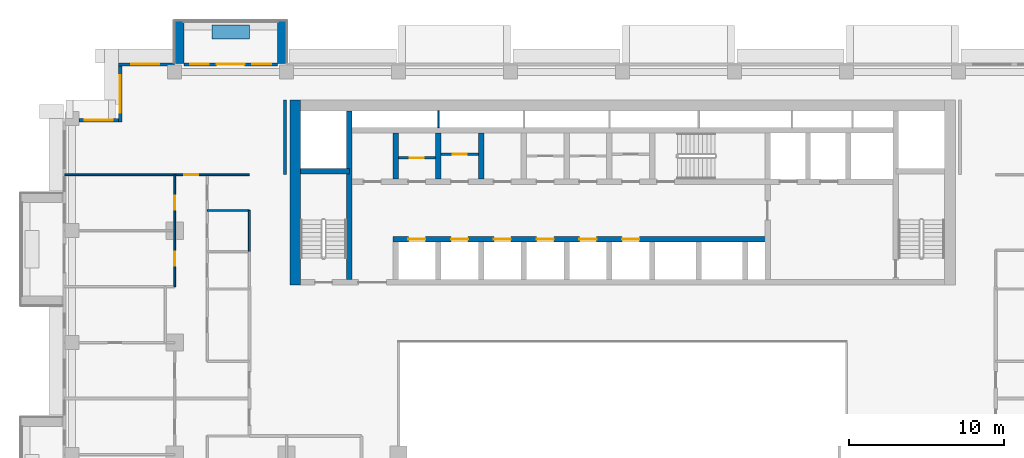
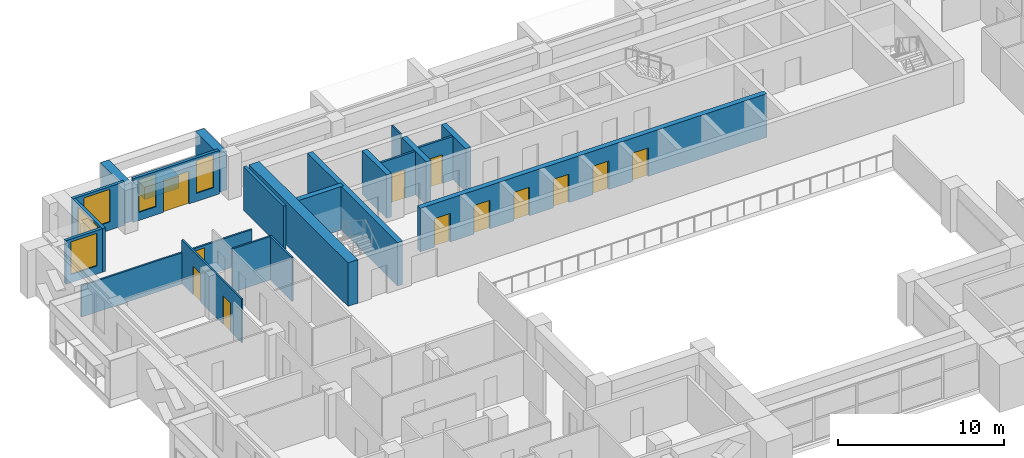
# One storey, part 10 of 20: 22 walls, 12 doors, 5 windows, 17 openings.
"""IFC4 building model written with IfcOpenShell, lengths in metres."""

from ifc_helpers import new_model, si_unit, direction, frame, frame_2d, origin, place, context, subcontext, project, spatial, rectangle, extrude, material, layer, layer_set, type_object, element, fill, save


model = new_model("IFC4")

# Units and contexts
model_context = context("Model", 3, precision=1e-05, world=origin(), true_north=direction((0.0, 1.0)))
body_context = subcontext(model_context, "Body", "Model", "MODEL_VIEW")
ifc_project = project(units=[si_unit("LENGTHUNIT", "METRE"), si_unit("AREAUNIT", "SQUARE_METRE"), si_unit("VOLUMEUNIT", "CUBIC_METRE"), si_unit("PLANEANGLEUNIT", "RADIAN"), si_unit("MASSUNIT", "GRAM", prefix="KILO")], contexts=[model_context])

# Site, building, storey
site_placement = place(None, origin())
site = spatial("IfcSite", under=ifc_project, at=site_placement, CompositionType="ELEMENT")
building_placement = place(site_placement, origin())
building = spatial("IfcBuilding", under=site, at=building_placement, Name="Saffron Iwan Residences", CompositionType="ELEMENT")
storey_placement = place(building_placement, frame((0.0, 0.0, 127.0)))
storey = spatial("IfcBuildingStorey", under=building, at=storey_placement, Name="L33", CompositionType="ELEMENT", Elevation=127.0)

# Walls
ifc_material_1 = material(Name="Concrete C50/60 white painted", Category="concrete")
ifc_layer_1 = layer(ifc_material_1, 0.60009765625)
ifc_layer_set_1 = layer_set([ifc_layer_1], Name="Concrete C50/60 white painted")
wall_type_1 = type_object("IfcWallType", Name="BALCONY FIN 600", PredefinedType="SOLIDWALL", material=ifc_layer_set_1)
for number, where, z_axis, x_axis, name in (
    (1, (28.5, 80.35009765625, 0.0), (0.0, 0.0, 1.0), (0.0, 1.0, 0.0), "Balcony fin L33 F5-3a"),
    (2, (21.89990234375, 80.35009765625, 0.0), (0.0, 0.0, 1.0), (0.0, 1.0, 0.0), "Balcony fin L33 F5-3b"),
):
    element("IfcWall", number, at=place(storey_placement, frame(where, z_axis=z_axis, x_axis=x_axis)), inside=storey, type_object=wall_type_1, Name=name, PredefinedType="SOLIDWALL", context=body_context, shape_type="SweptSolid", body=[
        extrude(rectangle(XDim=2.75, YDim=0.60009765625, at=frame_2d((1.375, 0.0))), origin(), (0.0, 0.0, 1.0), 2.85009765625),
    ])
ifc_material_2 = material(Name="Concrete C35/45 white painted", Category="concrete")
ifc_layer_2 = layer(ifc_material_2, 0.14990234375)
ifc_layer_set_2 = layer_set([ifc_layer_2], Name="Concrete C35/45 white painted")
wall_type_2 = type_object("IfcWallType", Name="BALCONY PLANTER", PredefinedType="SOLIDWALL", material=ifc_layer_set_2)
wall_1_placement = place(storey_placement, frame((26.39990234375, 82.375, 0.0), z_axis=(0.0, 0.0, 1.0), x_axis=(-1.0, 0.0, 0.0)))
element("IfcWall", 3, at=wall_1_placement, inside=storey, type_object=wall_type_2, Name="PLANTER L33 F5-3", PredefinedType="SOLIDWALL", context=body_context, shape_type="SweptSolid", body=[
    extrude(rectangle(XDim=2.39990234375, YDim=0.89990234375, at=frame_2d((1.199951171875, 0.0))), origin(), (0.0, 0.0, 1.0), 0.89990234375),
])

# Wall, opening, door
ifc_material_3 = material(Name="Fire-rated plasterboard partition")
ifc_layer_3 = layer(ifc_material_3, 0.14990234375)
ifc_layer_set_3 = layer_set([ifc_layer_3], Name="Fire-rated plasterboard partition")
wall_type_3 = type_object("IfcWallType", Name="Core partition 150", PredefinedType="PARTITIONING", material=ifc_layer_set_3)
wall_2_placement = place(storey_placement, frame((35.97509765625, 74.281982421875, 0.0), z_axis=(0.0, 0.0, 1.0), x_axis=(1.0, 0.0, 0.0)))
wall_2 = element("IfcWall", 4, at=wall_2_placement, inside=storey, type_object=wall_type_3, Name="Core partition P01", PredefinedType="PARTITIONING", context=body_context, shape_type="SweptSolid", body=[
    extrude(rectangle(XDim=2.39990234375, YDim=0.14990234375, at=frame_2d((1.199951171875, 0.0))), origin(), (0.0, 0.0, 1.0), 3.199951171875),
])
opening_1_placement = place(wall_2_placement, frame((0.75, 0.0, 0.0)))
opening_1 = element("IfcOpeningElement", 5, at=opening_1_placement, cuts=wall_2, Name="Opening SB", PredefinedType="OPENING", context=body_context, shape_type="SweptSolid", body=[
    extrude(rectangle(XDim=0.89990234375, YDim=2.10009765625, at=frame_2d((0.449951171875, 1.050048828125))), frame((0.0, 0.0849609375, 0.0), z_axis=(0.0, -1.0, 0.0), x_axis=(1.0, 0.0, 0.0)), (0.0, 0.0, 1.0), 0.169921875),
])
ifc_material_4 = material(Name="Steel fire door", Category="steel")
door_type_1 = type_object("IfcDoorType", Name="Store door 900", OperationType="NOTDEFINED", PredefinedType="DOOR", material=ifc_material_4)
door_1_placement = place(opening_1_placement, origin())
door_1 = element("IfcDoor", 6, at=door_1_placement, inside=storey, type_object=door_type_1, Name="Door Stationery store", OperationType="SINGLE_SWING_LEFT", OverallHeight=2.10009765625, OverallWidth=0.89990234375, PredefinedType="DOOR", context=body_context, shape_type="SweptSolid", body=[
    extrude(rectangle(XDim=0.89990234375, YDim=2.10009765625, at=frame_2d((0.449951171875, 1.050048828125))), frame((0.0, 0.02490234375, 0.0), z_axis=(0.0, -1.0, 0.0), x_axis=(1.0, 0.0, 0.0)), (0.0, 0.0, 1.0), 0.050048828125),
])
fill(opening_1, door_1)

wall_3_placement = place(storey_placement, frame((38.72509765625, 74.51806640625, 0.0), z_axis=(0.0, 0.0, 1.0), x_axis=(1.0, 0.0, 0.0)))
wall_3 = element("IfcWall", 7, at=wall_3_placement, inside=storey, type_object=wall_type_3, Name="Core partition P02", PredefinedType="PARTITIONING", context=body_context, shape_type="SweptSolid", body=[
    extrude(rectangle(XDim=2.39990234375, YDim=0.14990234375, at=frame_2d((1.199951171875, 0.0))), origin(), (0.0, 0.0, 1.0), 3.199951171875),
])
opening_2_placement = place(wall_3_placement, frame((0.75, 0.0, 0.0)))
opening_2 = element("IfcOpeningElement", 8, at=opening_2_placement, cuts=wall_3, Name="Opening SB", PredefinedType="OPENING", context=body_context, shape_type="SweptSolid", body=[
    extrude(rectangle(XDim=0.89990234375, YDim=2.10009765625, at=frame_2d((0.449951171875, 1.050048828125))), frame((0.0, 0.0849609375, 0.0), z_axis=(0.0, -1.0, 0.0), x_axis=(1.0, 0.0, 0.0)), (0.0, 0.0, 1.0), 0.169921875),
])
door_2_placement = place(opening_2_placement, origin())
door_2 = element("IfcDoor", 9, at=door_2_placement, inside=storey, type_object=door_type_1, Name="Door Tool store", OperationType="SINGLE_SWING_LEFT", OverallHeight=2.10009765625, OverallWidth=0.89990234375, PredefinedType="DOOR", context=body_context, shape_type="SweptSolid", body=[
    extrude(rectangle(XDim=0.89990234375, YDim=2.10009765625, at=frame_2d((0.449951171875, 1.050048828125))), frame((0.0, 0.02490234375, 0.0), z_axis=(0.0, -1.0, 0.0), x_axis=(1.0, 0.0, 0.0)), (0.0, 0.0, 1.0), 0.050048828125),
])
fill(opening_2, door_2)

# Wall, openings, door, windows
ifc_material_5 = material(Name="Concrete C40/50", Category="concrete")
ifc_layer_4 = layer(ifc_material_5, 0.199951171875)
ifc_layer_set_4 = layer_set([ifc_layer_4], Name="Concrete C40/50")
wall_type_4 = type_object("IfcWallType", Name="EXTERNAL WALL 200", PredefinedType="SOLIDWALL", material=ifc_layer_set_4)
wall_4_placement = place(storey_placement, frame((28.199951171875, 80.300048828125, 0.0), z_axis=(0.0, 0.0, 1.0), x_axis=(-1.0, 0.0, 0.0)))
wall_4 = element("IfcWall", 10, at=wall_4_placement, inside=storey, type_object=wall_type_4, Name="External wall L33 F5.1", PredefinedType="SOLIDWALL", context=body_context, shape_type="SweptSolid", body=[
    extrude(rectangle(XDim=6.0, YDim=0.199951171875, at=frame_2d((3.0, 0.0))), origin(), (0.0, 0.0, 1.0), 3.199951171875),
])
opening_3_placement = place(wall_4_placement, frame((2.10009765625, 0.0, 0.0)))
opening_3 = element("IfcOpeningElement", 11, at=opening_3_placement, cuts=wall_4, Name="Opening BD1", PredefinedType="OPENING", context=body_context, shape_type="SweptSolid", body=[
    extrude(rectangle(XDim=1.800048828125, YDim=2.39990234375, at=frame_2d((0.89990234375, 1.199951171875))), frame((0.0, 0.10986328125, 0.0), z_axis=(0.0, -1.0, 0.0), x_axis=(1.0, 0.0, 0.0)), (0.0, 0.0, 1.0), 0.219970703125),
])
opening_4_placement = place(wall_4_placement, frame((0.39990234375, 0.0, 0.60009765625)))
opening_4 = element("IfcOpeningElement", 12, at=opening_4_placement, cuts=wall_4, Name="Opening W3", PredefinedType="OPENING", context=body_context, shape_type="SweptSolid", body=[
    extrude(rectangle(XDim=1.199951171875, YDim=2.39990234375, at=frame_2d((0.60009765625, 1.199951171875))), frame((0.0, 0.10986328125, 0.0), z_axis=(0.0, -1.0, 0.0), x_axis=(1.0, 0.0, 0.0)), (0.0, 0.0, 1.0), 0.219970703125),
])
opening_5_placement = place(wall_4_placement, frame((4.39990234375, 0.0, 0.60009765625)))
opening_5 = element("IfcOpeningElement", 13, at=opening_5_placement, cuts=wall_4, Name="Opening W3", PredefinedType="OPENING", context=body_context, shape_type="SweptSolid", body=[
    extrude(rectangle(XDim=1.199951171875, YDim=2.39990234375, at=frame_2d((0.60009765625, 1.199951171875))), frame((0.0, 0.10986328125, 0.0), z_axis=(0.0, -1.0, 0.0), x_axis=(1.0, 0.0, 0.0)), (0.0, 0.0, 1.0), 0.219970703125),
])
ifc_material_6 = material(Name="Clear glass, laminated double glazed", Category="glass")
door_type_2 = type_object("IfcDoorType", Name="BALCONY DOOR 1800 x 2400", OperationType="DOUBLE_DOOR_SLIDING", PredefinedType="DOOR", material=ifc_material_6)
door_3_placement = place(opening_3_placement, origin())
door_3 = element("IfcDoor", 14, at=door_3_placement, inside=storey, type_object=door_type_2, Name="Balcony door L33 F5.0", OperationType="DOUBLE_DOOR_SLIDING", OverallHeight=2.39990234375, OverallWidth=1.800048828125, PredefinedType="DOOR", context=body_context, shape_type="SweptSolid", body=[
    extrude(rectangle(XDim=1.800048828125, YDim=2.39990234375, at=frame_2d((0.89990234375, 1.199951171875))), frame((0.0, 0.02490234375, 0.0), z_axis=(0.0, -1.0, 0.0), x_axis=(1.0, 0.0, 0.0)), (0.0, 0.0, 1.0), 0.050048828125),
])
fill(opening_3, door_3)
window_type_1 = type_object("IfcWindowType", Name="WINDOW 1200 x 2400", PartitioningType="SINGLE_PANEL", PredefinedType="WINDOW", material=ifc_material_6)
window_1_placement = place(opening_4_placement, origin())
window_1 = element("IfcWindow", 15, at=window_1_placement, inside=storey, type_object=window_type_1, Name="Window L33 F5.1", OverallHeight=2.39990234375, OverallWidth=1.199951171875, PartitioningType="SINGLE_PANEL", PredefinedType="WINDOW", context=body_context, shape_type="SweptSolid", body=[
    extrude(rectangle(XDim=1.199951171875, YDim=2.39990234375, at=frame_2d((0.60009765625, 1.199951171875))), frame((0.0, 0.030029296875, 0.0), z_axis=(0.0, -1.0, 0.0), x_axis=(1.0, 0.0, 0.0)), (0.0, 0.0, 1.0), 0.06005859375),
])
fill(opening_4, window_1)
window_2_placement = place(opening_5_placement, origin())
window_2 = element("IfcWindow", 16, at=window_2_placement, inside=storey, type_object=window_type_1, Name="Window L33 F5.2", OverallHeight=2.39990234375, OverallWidth=1.199951171875, PartitioningType="SINGLE_PANEL", PredefinedType="WINDOW", context=body_context, shape_type="SweptSolid", body=[
    extrude(rectangle(XDim=1.199951171875, YDim=2.39990234375, at=frame_2d((0.60009765625, 1.199951171875))), frame((0.0, 0.030029296875, 0.0), z_axis=(0.0, -1.0, 0.0), x_axis=(1.0, 0.0, 0.0)), (0.0, 0.0, 1.0), 0.06005859375),
])
fill(opening_5, window_2)

# Wall, opening, window
wall_5_placement = place(storey_placement, frame((21.60009765625, 80.300048828125, 0.0), z_axis=(0.0, 0.0, 1.0), x_axis=(-1.0, 0.0, 0.0)))
wall_5 = element("IfcWall", 17, at=wall_5_placement, inside=storey, type_object=wall_type_4, Name="External wall L33 F5.2", PredefinedType="SOLIDWALL", context=body_context, shape_type="SweptSolid", body=[
    extrude(rectangle(XDim=3.60009765625, YDim=0.199951171875, at=frame_2d((1.800048828125, 0.0))), origin(), (0.0, 0.0, 1.0), 3.199951171875),
])
opening_6_placement = place(wall_5_placement, frame((1.0, 0.0, 0.60009765625)))
opening_6 = element("IfcOpeningElement", 18, at=opening_6_placement, cuts=wall_5, Name="Opening W8", PredefinedType="OPENING", context=body_context, shape_type="SweptSolid", body=[
    extrude(rectangle(XDim=1.800048828125, YDim=2.39990234375, at=frame_2d((0.89990234375, 1.199951171875))), frame((0.0, 0.10986328125, 0.0), z_axis=(0.0, -1.0, 0.0), x_axis=(1.0, 0.0, 0.0)), (0.0, 0.0, 1.0), 0.219970703125),
])
window_type_2 = type_object("IfcWindowType", Name="WINDOW 1800 x 2400", PartitioningType="DOUBLE_PANEL_VERTICAL", PredefinedType="WINDOW", material=ifc_material_6)
window_3_placement = place(opening_6_placement, origin())
window_3 = element("IfcWindow", 19, at=window_3_placement, inside=storey, type_object=window_type_2, Name="Window L33 F5.0", OverallHeight=2.39990234375, OverallWidth=1.800048828125, PartitioningType="DOUBLE_PANEL_VERTICAL", PredefinedType="WINDOW", context=body_context, shape_type="SweptSolid", body=[
    extrude(rectangle(XDim=1.800048828125, YDim=2.39990234375, at=frame_2d((0.89990234375, 1.199951171875))), frame((0.0, 0.030029296875, 0.0), z_axis=(0.0, -1.0, 0.0), x_axis=(1.0, 0.0, 0.0)), (0.0, 0.0, 1.0), 0.06005859375),
])
fill(opening_6, window_3)

wall_6_placement = place(storey_placement, frame((18.10009765625, 80.199951171875, 0.0), z_axis=(0.0, 0.0, 1.0), x_axis=(0.0, -1.0, 0.0)))
wall_6 = element("IfcWall", 20, at=wall_6_placement, inside=storey, type_object=wall_type_4, Name="External wall L33 F6.0", PredefinedType="SOLIDWALL", context=body_context, shape_type="SweptSolid", body=[
    extrude(rectangle(XDim=3.599853515625, YDim=0.199951171875, at=frame_2d((1.7998046875, 0.0))), origin(), (0.0, 0.0, 1.0), 3.199951171875),
])
opening_7_placement = place(wall_6_placement, frame((0.60009765625, 0.0, 0.60009765625)))
opening_7 = element("IfcOpeningElement", 21, at=opening_7_placement, cuts=wall_6, Name="Opening W1", PredefinedType="OPENING", context=body_context, shape_type="SweptSolid", body=[
    extrude(rectangle(XDim=2.39990234375, YDim=2.39990234375, at=frame_2d((1.199951171875, 1.199951171875))), frame((0.0, 0.10986328125, 0.0), z_axis=(0.0, -1.0, 0.0), x_axis=(1.0, 0.0, 0.0)), (0.0, 0.0, 1.0), 0.219970703125),
])
window_type_3 = type_object("IfcWindowType", Name="WINDOW 2400 x 2400", PartitioningType="DOUBLE_PANEL_VERTICAL", PredefinedType="WINDOW", material=ifc_material_6)
window_4_placement = place(opening_7_placement, origin())
window_4 = element("IfcWindow", 22, at=window_4_placement, inside=storey, type_object=window_type_3, Name="Window L33 F6.0", OverallHeight=2.39990234375, OverallWidth=2.39990234375, PartitioningType="DOUBLE_PANEL_VERTICAL", PredefinedType="WINDOW", context=body_context, shape_type="SweptSolid", body=[
    extrude(rectangle(XDim=2.39990234375, YDim=2.39990234375, at=frame_2d((1.199951171875, 1.199951171875))), frame((0.0, 0.030029296875, 0.0), z_axis=(0.0, -1.0, 0.0), x_axis=(1.0, 0.0, 0.0)), (0.0, 0.0, 1.0), 0.06005859375),
])
fill(opening_7, window_4)

wall_7_placement = place(storey_placement, frame((18.0, 76.699951171875, 0.0), z_axis=(0.0, 0.0, 1.0), x_axis=(-1.0, 0.0, 0.0)))
wall_7 = element("IfcWall", 23, at=wall_7_placement, inside=storey, type_object=wall_type_4, Name="External wall L33 F7.0", PredefinedType="SOLIDWALL", context=body_context, shape_type="SweptSolid", body=[
    extrude(rectangle(XDim=2.550048828125, YDim=0.199951171875, at=frame_2d((1.27490234375, 0.0))), origin(), (0.0, 0.0, 1.0), 3.199951171875),
])
opening_8_placement = place(wall_7_placement, frame((0.375, 0.0, 0.60009765625)))
opening_8 = element("IfcOpeningElement", 24, at=opening_8_placement, cuts=wall_7, Name="Opening W8", PredefinedType="OPENING", context=body_context, shape_type="SweptSolid", body=[
    extrude(rectangle(XDim=1.800048828125, YDim=2.39990234375, at=frame_2d((0.89990234375, 1.199951171875))), frame((0.0, 0.10986328125, 0.0), z_axis=(0.0, -1.0, 0.0), x_axis=(1.0, 0.0, 0.0)), (0.0, 0.0, 1.0), 0.219970703125),
])
window_5_placement = place(opening_8_placement, origin())
window_5 = element("IfcWindow", 25, at=window_5_placement, inside=storey, type_object=window_type_2, Name="Window L33 F7.0", OverallHeight=2.39990234375, OverallWidth=1.800048828125, PartitioningType="DOUBLE_PANEL_VERTICAL", PredefinedType="WINDOW", context=body_context, shape_type="SweptSolid", body=[
    extrude(rectangle(XDim=1.800048828125, YDim=2.39990234375, at=frame_2d((0.89990234375, 1.199951171875))), frame((0.0, 0.030029296875, 0.0), z_axis=(0.0, -1.0, 0.0), x_axis=(1.0, 0.0, 0.0)), (0.0, 0.0, 1.0), 0.06005859375),
])
fill(opening_8, window_5)

# Wall
ifc_material_7 = material(Name="Gypsum board partition")
ifc_layer_5 = layer(ifc_material_7, 0.1201171875)
ifc_layer_set_5 = layer_set([ifc_layer_5], Name="Gypsum board partition")
wall_type_5 = type_object("IfcWallType", Name="Flat partition 120", PredefinedType="PARTITIONING", material=ifc_layer_set_5)
wall_8_placement = place(storey_placement, frame((23.699951171875, 70.89990234375, 0.0), z_axis=(0.0, 0.0, 1.0), x_axis=(1.0, 0.0, 0.0)))
element("IfcWall", 26, at=wall_8_placement, inside=storey, type_object=wall_type_5, Name="W-L33-PART-h70.9-23.7", PredefinedType="PARTITIONING", context=body_context, shape_type="SweptSolid", body=[
    extrude(rectangle(XDim=2.699951171875, YDim=0.1201171875, at=frame_2d((1.35009765625, 0.0))), origin(), (0.0, 0.0, 1.0), 3.199951171875),
])

# Wall, opening, door
wall_9_placement = place(storey_placement, frame((14.52490234375, 73.199951171875, 0.0), z_axis=(0.0, 0.0, 1.0), x_axis=(1.0, 0.0, 0.0)))
wall_9 = element("IfcWall", 27, at=wall_9_placement, inside=storey, type_object=wall_type_5, Name="W-L33-PART-h73.2-14.525", PredefinedType="PARTITIONING", context=body_context, shape_type="SweptSolid", body=[
    extrude(rectangle(XDim=11.875, YDim=0.1201171875, at=frame_2d((5.9375, 0.0))), origin(), (0.0, 0.0, 1.0), 2.300048828125),
])
opening_9_placement = place(wall_9_placement, frame((7.675048828125, 0.0, 0.0)))
opening_9 = element("IfcOpeningElement", 28, at=opening_9_placement, cuts=wall_9, Name="Opening FD2", PredefinedType="OPENING", context=body_context, shape_type="SweptSolid", body=[
    extrude(rectangle(XDim=0.89990234375, YDim=2.10009765625, at=frame_2d((0.449951171875, 1.050048828125))), frame((0.0, 0.070068359375, 0.0), z_axis=(0.0, -1.0, 0.0), x_axis=(1.0, 0.0, 0.0)), (0.0, 0.0, 1.0), 0.14013671875),
])
ifc_material_8 = material(Name="Timber door", Category="wood")
door_type_3 = type_object("IfcDoorType", Name="Flat door 900", OperationType="NOTDEFINED", PredefinedType="DOOR", material=ifc_material_8)
door_4_placement = place(opening_9_placement, origin())
door_4 = element("IfcDoor", 29, at=door_4_placement, inside=storey, type_object=door_type_3, Name="Door L33-024", OperationType="SINGLE_SWING_LEFT", OverallHeight=2.10009765625, OverallWidth=0.89990234375, PredefinedType="DOOR", context=body_context, shape_type="SweptSolid", body=[
    extrude(rectangle(XDim=0.89990234375, YDim=2.10009765625, at=frame_2d((0.449951171875, 1.050048828125))), frame((0.0, 0.02490234375, 0.0), z_axis=(0.0, -1.0, 0.0), x_axis=(1.0, 0.0, 0.0)), (0.0, 0.0, 1.0), 0.050048828125),
])
fill(opening_9, door_4)

# Wall, openings, doors
wall_10_placement = place(storey_placement, frame((21.60009765625, 66.0, 0.0), z_axis=(0.0, 0.0, 1.0), x_axis=(0.0, 1.0, 0.0)))
wall_10 = element("IfcWall", 30, at=wall_10_placement, inside=storey, type_object=wall_type_5, Name="W-L33-PART-v21.6-66", PredefinedType="PARTITIONING", context=body_context, shape_type="SweptSolid", body=[
    extrude(rectangle(XDim=7.199951171875, YDim=0.1201171875, at=frame_2d((3.60009765625, 0.0))), origin(), (0.0, 0.0, 1.0), 3.199951171875),
])
opening_10_placement = place(wall_10_placement, frame((1.35009765625, 0.0, 0.0)))
opening_10 = element("IfcOpeningElement", 31, at=opening_10_placement, cuts=wall_10, Name="Opening FD2", PredefinedType="OPENING", context=body_context, shape_type="SweptSolid", body=[
    extrude(rectangle(XDim=0.89990234375, YDim=2.10009765625, at=frame_2d((0.449951171875, 1.050048828125))), frame((0.0, 0.070068359375, 0.0), z_axis=(0.0, -1.0, 0.0), x_axis=(1.0, 0.0, 0.0)), (0.0, 0.0, 1.0), 0.14013671875),
])
opening_11_placement = place(wall_10_placement, frame((4.949951171875, 0.0, 0.0)))
opening_11 = element("IfcOpeningElement", 32, at=opening_11_placement, cuts=wall_10, Name="Opening FD2", PredefinedType="OPENING", context=body_context, shape_type="SweptSolid", body=[
    extrude(rectangle(XDim=0.89990234375, YDim=2.10009765625, at=frame_2d((0.449951171875, 1.050048828125))), frame((0.0, 0.070068359375, 0.0), z_axis=(0.0, -1.0, 0.0), x_axis=(1.0, 0.0, 0.0)), (0.0, 0.0, 1.0), 0.14013671875),
])
door_5_placement = place(opening_10_placement, origin())
door_5 = element("IfcDoor", 33, at=door_5_placement, inside=storey, type_object=door_type_3, Name="Door L33-022", OperationType="SINGLE_SWING_RIGHT", OverallHeight=2.10009765625, OverallWidth=0.89990234375, PredefinedType="DOOR", context=body_context, shape_type="SweptSolid", body=[
    extrude(rectangle(XDim=0.89990234375, YDim=2.10009765625, at=frame_2d((0.449951171875, 1.050048828125))), frame((0.0, 0.02490234375, 0.0), z_axis=(0.0, -1.0, 0.0), x_axis=(1.0, 0.0, 0.0)), (0.0, 0.0, 1.0), 0.050048828125),
])
fill(opening_10, door_5)
door_6_placement = place(opening_11_placement, origin())
door_6 = element("IfcDoor", 34, at=door_6_placement, inside=storey, type_object=door_type_3, Name="Door L33-023", OperationType="SINGLE_SWING_LEFT", OverallHeight=2.10009765625, OverallWidth=0.89990234375, PredefinedType="DOOR", context=body_context, shape_type="SweptSolid", body=[
    extrude(rectangle(XDim=0.89990234375, YDim=2.10009765625, at=frame_2d((0.449951171875, 1.050048828125))), frame((0.0, 0.02490234375, 0.0), z_axis=(0.0, -1.0, 0.0), x_axis=(1.0, 0.0, 0.0)), (0.0, 0.0, 1.0), 0.050048828125),
])
fill(opening_11, door_6)

# Walls
wall_11_placement = place(storey_placement, frame((26.39990234375, 68.25, 0.0), z_axis=(0.0, 0.0, 1.0), x_axis=(0.0, 1.0, 0.0)))
element("IfcWall", 35, at=wall_11_placement, inside=storey, type_object=wall_type_5, Name="W-L33-PART-v26.4-68.25", PredefinedType="PARTITIONING", context=body_context, shape_type="SweptSolid", body=[
    extrude(rectangle(XDim=2.64990234375, YDim=0.1201171875, at=frame_2d((1.324951171875, 0.0))), origin(), (0.0, 0.0, 1.0), 3.199951171875),
])
ifc_material_9 = material(Name="Fire-rated gypsum board wall")
ifc_layer_6 = layer(ifc_material_9, 0.199951171875)
ifc_layer_set_6 = layer_set([ifc_layer_6], Name="Fire-rated gypsum board wall")
wall_type_6 = type_object("IfcWallType", Name="Gallery wall 200", PredefinedType="SOLIDWALL", material=ifc_layer_set_6)
wall_12_placement = place(storey_placement, frame((28.699951171875, 73.199951171875, 0.0), z_axis=(0.0, 0.0, 1.0), x_axis=(0.0, 1.0, 0.0)))
element("IfcWall", 36, at=wall_12_placement, inside=storey, type_object=wall_type_6, Name="W-L33-CORR-v28.8-73.2", PredefinedType="SOLIDWALL", context=body_context, shape_type="SweptSolid", body=[
    extrude(rectangle(XDim=4.800048828125, YDim=0.199951171875, at=frame_2d((2.39990234375, 0.0))), origin(), (0.0, 0.0, 1.0), 3.199951171875),
])
ifc_layer_7 = layer(ifc_material_3, 0.10009765625)
ifc_layer_set_7 = layer_set([ifc_layer_7], Name="Fire-rated plasterboard partition")
wall_type_7 = type_object("IfcWallType", Name="Riser partition 100", PredefinedType="PARTITIONING", material=ifc_layer_set_7)
wall_13_placement = place(storey_placement, frame((38.550048828125, 76.22509765625, 0.0), z_axis=(0.0, 0.0, 1.0), x_axis=(0.0, 1.0, 0.0)))
element("IfcWall", 37, at=wall_13_placement, inside=storey, type_object=wall_type_7, Name="Core partition P06", PredefinedType="PARTITIONING", context=body_context, shape_type="SweptSolid", body=[
    extrude(rectangle(XDim=1.074951171875, YDim=0.10009765625, at=frame_2d((0.53759765625, 0.0))), origin(), (0.0, 0.0, 1.0), 3.199951171875),
])

# Wall, openings, doors
ifc_material_10 = material(Name="Concrete C50/60", Category="concrete")
ifc_layer_8 = layer(ifc_material_10, 0.35009765625)
ifc_layer_set_8 = layer_set([ifc_layer_8], Name="Concrete C50/60")
wall_type_8 = type_object("IfcWallType", Name="WALL CORE 350 C50/60 3200 HIGH", PredefinedType="SHEAR", material=ifc_layer_set_8)
wall_14_placement = place(storey_placement, frame((35.625, 69.050048828125, 0.0), z_axis=(0.0, 0.0, 1.0), x_axis=(1.0, 0.0, 0.0)))
wall_14 = element("IfcWall", 38, at=wall_14_placement, inside=storey, type_object=wall_type_8, Name="Core wall", PredefinedType="SHEAR", context=body_context, shape_type="SweptSolid", body=[
    extrude(rectangle(XDim=24.10009765625, YDim=0.35009765625, at=frame_2d((12.050048828125, 0.0))), origin(), (0.0, 0.0, 1.0), 3.199951171875),
])
opening_12_placement = place(wall_14_placement, frame((1.0, 0.0, 0.0)))
opening_12 = element("IfcOpeningElement", 39, at=opening_12_placement, cuts=wall_14, Name="Opening LD", PredefinedType="OPENING", context=body_context, shape_type="SweptSolid", body=[
    extrude(rectangle(XDim=1.10009765625, YDim=2.10009765625, at=frame_2d((0.550048828125, 1.050048828125))), frame((0.0, 0.18505859375, 0.0), z_axis=(0.0, -1.0, 0.0), x_axis=(1.0, 0.0, 0.0)), (0.0, 0.0, 1.0), 0.3701171875),
])
opening_13_placement = place(wall_14_placement, frame((3.75, 0.0, 0.0)))
opening_13 = element("IfcOpeningElement", 40, at=opening_13_placement, cuts=wall_14, Name="Opening LD", PredefinedType="OPENING", context=body_context, shape_type="SweptSolid", body=[
    extrude(rectangle(XDim=1.10009765625, YDim=2.10009765625, at=frame_2d((0.550048828125, 1.050048828125))), frame((0.0, 0.18505859375, 0.0), z_axis=(0.0, -1.0, 0.0), x_axis=(1.0, 0.0, 0.0)), (0.0, 0.0, 1.0), 0.3701171875),
])
opening_14_placement = place(wall_14_placement, frame((6.5, 0.0, 0.0)))
opening_14 = element("IfcOpeningElement", 41, at=opening_14_placement, cuts=wall_14, Name="Opening LD", PredefinedType="OPENING", context=body_context, shape_type="SweptSolid", body=[
    extrude(rectangle(XDim=1.10009765625, YDim=2.10009765625, at=frame_2d((0.550048828125, 1.050048828125))), frame((0.0, 0.18505859375, 0.0), z_axis=(0.0, -1.0, 0.0), x_axis=(1.0, 0.0, 0.0)), (0.0, 0.0, 1.0), 0.3701171875),
])
opening_15_placement = place(wall_14_placement, frame((9.25, 0.0, 0.0)))
opening_15 = element("IfcOpeningElement", 42, at=opening_15_placement, cuts=wall_14, Name="Opening LD", PredefinedType="OPENING", context=body_context, shape_type="SweptSolid", body=[
    extrude(rectangle(XDim=1.10009765625, YDim=2.10009765625, at=frame_2d((0.550048828125, 1.050048828125))), frame((0.0, 0.18505859375, 0.0), z_axis=(0.0, -1.0, 0.0), x_axis=(1.0, 0.0, 0.0)), (0.0, 0.0, 1.0), 0.3701171875),
])
opening_16_placement = place(wall_14_placement, frame((12.0, 0.0, 0.0)))
opening_16 = element("IfcOpeningElement", 43, at=opening_16_placement, cuts=wall_14, Name="Opening LD", PredefinedType="OPENING", context=body_context, shape_type="SweptSolid", body=[
    extrude(rectangle(XDim=1.10009765625, YDim=2.10009765625, at=frame_2d((0.550048828125, 1.050048828125))), frame((0.0, 0.18505859375, 0.0), z_axis=(0.0, -1.0, 0.0), x_axis=(1.0, 0.0, 0.0)), (0.0, 0.0, 1.0), 0.3701171875),
])
opening_17_placement = place(wall_14_placement, frame((14.75, 0.0, 0.0)))
opening_17 = element("IfcOpeningElement", 44, at=opening_17_placement, cuts=wall_14, Name="Opening LD", PredefinedType="OPENING", context=body_context, shape_type="SweptSolid", body=[
    extrude(rectangle(XDim=1.10009765625, YDim=2.10009765625, at=frame_2d((0.550048828125, 1.050048828125))), frame((0.0, 0.18505859375, 0.0), z_axis=(0.0, -1.0, 0.0), x_axis=(1.0, 0.0, 0.0)), (0.0, 0.0, 1.0), 0.3701171875),
])
door_type_4 = type_object("IfcDoorType", Name="Lift landing door 1100", OperationType="SLIDING_TO_LEFT", PredefinedType="DOOR", material=ifc_material_4)
door_7_placement = place(opening_12_placement, origin())
door_7 = element("IfcDoor", 45, at=door_7_placement, inside=storey, type_object=door_type_4, Name="Landing doors LR1", OperationType="SLIDING_TO_LEFT", OverallHeight=2.10009765625, OverallWidth=1.10009765625, PredefinedType="DOOR", context=body_context, shape_type="SweptSolid", body=[
    extrude(rectangle(XDim=1.10009765625, YDim=2.10009765625, at=frame_2d((0.550048828125, 1.050048828125))), frame((0.0, 0.02490234375, 0.0), z_axis=(0.0, -1.0, 0.0), x_axis=(1.0, 0.0, 0.0)), (0.0, 0.0, 1.0), 0.050048828125),
])
fill(opening_12, door_7)
door_8_placement = place(opening_13_placement, origin())
door_8 = element("IfcDoor", 46, at=door_8_placement, inside=storey, type_object=door_type_4, Name="Landing doors LR2", OperationType="SLIDING_TO_LEFT", OverallHeight=2.10009765625, OverallWidth=1.10009765625, PredefinedType="DOOR", context=body_context, shape_type="SweptSolid", body=[
    extrude(rectangle(XDim=1.10009765625, YDim=2.10009765625, at=frame_2d((0.550048828125, 1.050048828125))), frame((0.0, 0.02490234375, 0.0), z_axis=(0.0, -1.0, 0.0), x_axis=(1.0, 0.0, 0.0)), (0.0, 0.0, 1.0), 0.050048828125),
])
fill(opening_13, door_8)
door_9_placement = place(opening_14_placement, origin())
door_9 = element("IfcDoor", 47, at=door_9_placement, inside=storey, type_object=door_type_4, Name="Landing doors LR3", OperationType="SLIDING_TO_LEFT", OverallHeight=2.10009765625, OverallWidth=1.10009765625, PredefinedType="DOOR", context=body_context, shape_type="SweptSolid", body=[
    extrude(rectangle(XDim=1.10009765625, YDim=2.10009765625, at=frame_2d((0.550048828125, 1.050048828125))), frame((0.0, 0.02490234375, 0.0), z_axis=(0.0, -1.0, 0.0), x_axis=(1.0, 0.0, 0.0)), (0.0, 0.0, 1.0), 0.050048828125),
])
fill(opening_14, door_9)
door_10_placement = place(opening_15_placement, origin())
door_10 = element("IfcDoor", 48, at=door_10_placement, inside=storey, type_object=door_type_4, Name="Landing doors LR4", OperationType="SLIDING_TO_LEFT", OverallHeight=2.10009765625, OverallWidth=1.10009765625, PredefinedType="DOOR", context=body_context, shape_type="SweptSolid", body=[
    extrude(rectangle(XDim=1.10009765625, YDim=2.10009765625, at=frame_2d((0.550048828125, 1.050048828125))), frame((0.0, 0.02490234375, 0.0), z_axis=(0.0, -1.0, 0.0), x_axis=(1.0, 0.0, 0.0)), (0.0, 0.0, 1.0), 0.050048828125),
])
fill(opening_15, door_10)
door_11_placement = place(opening_16_placement, origin())
door_11 = element("IfcDoor", 49, at=door_11_placement, inside=storey, type_object=door_type_4, Name="Landing doors LR5", OperationType="SLIDING_TO_LEFT", OverallHeight=2.10009765625, OverallWidth=1.10009765625, PredefinedType="DOOR", context=body_context, shape_type="SweptSolid", body=[
    extrude(rectangle(XDim=1.10009765625, YDim=2.10009765625, at=frame_2d((0.550048828125, 1.050048828125))), frame((0.0, 0.02490234375, 0.0), z_axis=(0.0, -1.0, 0.0), x_axis=(1.0, 0.0, 0.0)), (0.0, 0.0, 1.0), 0.050048828125),
])
fill(opening_16, door_11)
door_12_placement = place(opening_17_placement, origin())
door_12 = element("IfcDoor", 50, at=door_12_placement, inside=storey, type_object=door_type_4, Name="Landing doors LR6", OperationType="SLIDING_TO_LEFT", OverallHeight=2.10009765625, OverallWidth=1.10009765625, PredefinedType="DOOR", context=body_context, shape_type="SweptSolid", body=[
    extrude(rectangle(XDim=1.10009765625, YDim=2.10009765625, at=frame_2d((0.550048828125, 1.050048828125))), frame((0.0, 0.02490234375, 0.0), z_axis=(0.0, -1.0, 0.0), x_axis=(1.0, 0.0, 0.0)), (0.0, 0.0, 1.0), 0.050048828125),
])
fill(opening_17, door_12)

# Walls
wall_15_placement = place(storey_placement, frame((29.699951171875, 73.425048828125, 0.0), z_axis=(0.0, 0.0, 1.0), x_axis=(1.0, 0.0, 0.0)))
element("IfcWall", 51, at=wall_15_placement, inside=storey, type_object=wall_type_8, Name="Core wall", PredefinedType="SHEAR", context=body_context, shape_type="SweptSolid", body=[
    extrude(rectangle(XDim=3.125, YDim=0.35009765625, at=frame_2d((1.5625, 0.0))), origin(), (0.0, 0.0, 1.0), 3.199951171875),
])
wall_16_placement = place(storey_placement, frame((32.824951171875, 66.449951171875, 0.0), z_axis=(0.0, 0.0, 1.0), x_axis=(0.0, 1.0, 0.0)))
element("IfcWall", 52, at=wall_16_placement, inside=storey, type_object=wall_type_8, Name="Core wall", PredefinedType="SHEAR", context=body_context, shape_type="SweptSolid", body=[
    extrude(rectangle(XDim=10.85009765625, YDim=0.35009765625, at=frame_2d((5.425048828125, 0.0))), origin(), (0.0, 0.0, 1.0), 3.199951171875),
])
for number, where, z_axis, x_axis, name in (
    (53, (35.800048828125, 72.925048828125, 0.0), (0.0, 0.0, 1.0), (0.0, 1.0, 0.0), "Core wall"),
    (54, (38.550048828125, 72.925048828125, 0.0), (0.0, 0.0, 1.0), (0.0, 1.0, 0.0), "Core wall"),
    (55, (41.300048828125, 72.925048828125, 0.0), (0.0, 0.0, 1.0), (0.0, 1.0, 0.0), "Core wall"),
):
    element("IfcWall", number, at=place(storey_placement, frame(where, z_axis=z_axis, x_axis=x_axis)), inside=storey, type_object=wall_type_8, Name=name, PredefinedType="SHEAR", context=body_context, shape_type="SweptSolid", body=[
        extrude(rectangle(XDim=2.949951171875, YDim=0.35009765625, at=frame_2d((1.47509765625, 0.0))), origin(), (0.0, 0.0, 1.0), 3.199951171875),
    ])
ifc_layer_9 = layer(ifc_material_10, 0.699951171875)
ifc_layer_set_9 = layer_set([ifc_layer_9], Name="Concrete C50/60")
wall_type_9 = type_object("IfcWallType", Name="WALL CORE 700 C50/60 3200 HIGH", PredefinedType="SHEAR", material=ifc_layer_set_9)
wall_17_placement = place(storey_placement, frame((29.35009765625, 66.10009765625, 0.0), z_axis=(0.0, 0.0, 1.0), x_axis=(0.0, 1.0, 0.0)))
element("IfcWall", 56, at=wall_17_placement, inside=storey, type_object=wall_type_9, Name="Core wall", PredefinedType="SHEAR", context=body_context, shape_type="SweptSolid", body=[
    extrude(rectangle(XDim=11.89990234375, YDim=0.699951171875, at=frame_2d((5.949951171875, 0.0))), origin(), (0.0, 0.0, 1.0), 3.199951171875),
])

save(model, "model.ifc")
